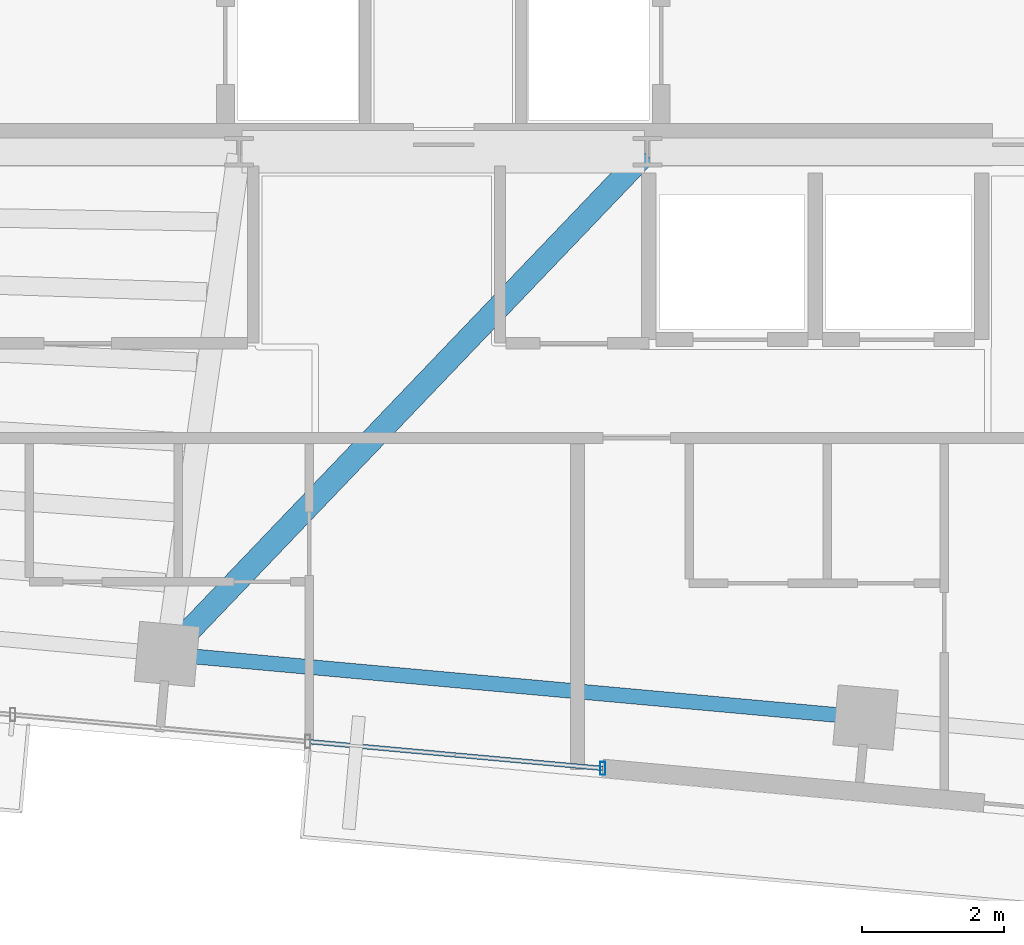
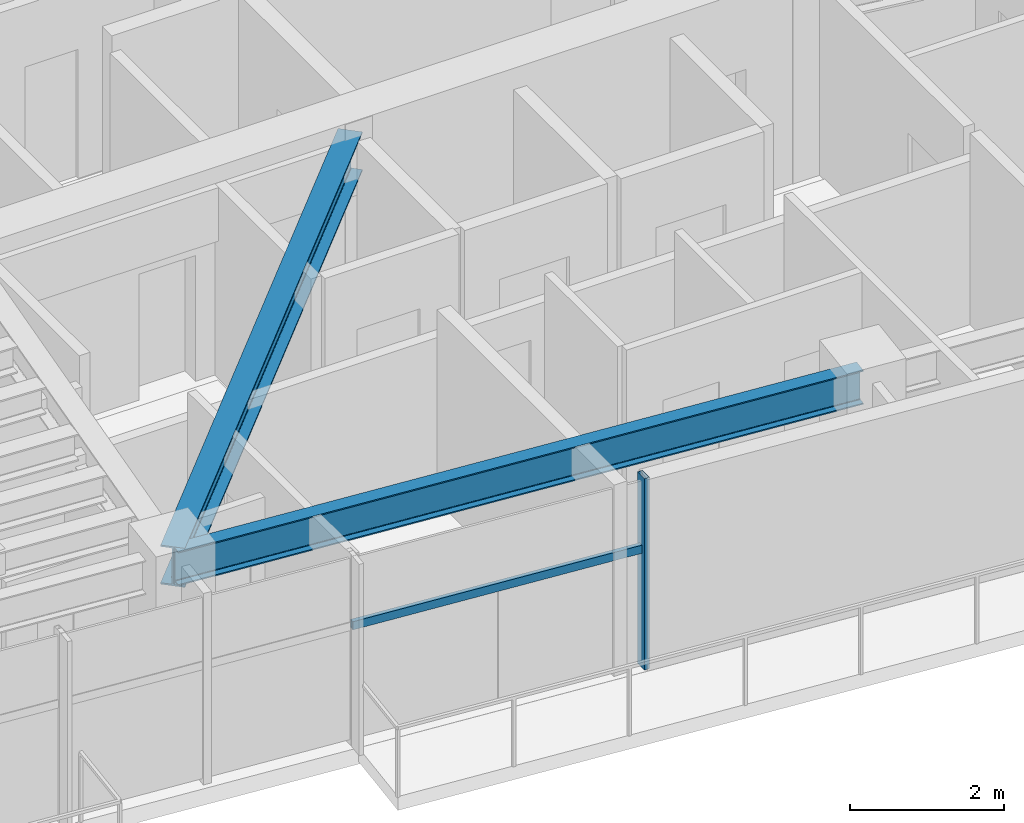
# One storey, part 7 of 22: 2 beams, 2 members, 1 element without a shape of its own.
"""IFC4 building model written with IfcOpenShell, lengths in metres."""

from ifc_helpers import new_model, si_unit, direction, frame, origin, origin_2d, place, context, subcontext, project, spatial, hollow_rectangle, i_section, extrude, source, transform, mapped, material, material_profile, profile_set, type_object, type_shapes, element, aggregate, save


model = new_model("IFC4")

# Units and contexts
model_context = context("Model", 3, precision=1e-05, world=origin(), true_north=direction((0.0, 1.0)))
body_context = subcontext(model_context, "Body", "Model", "MODEL_VIEW")
ifc_project = project(units=[si_unit("LENGTHUNIT", "METRE"), si_unit("AREAUNIT", "SQUARE_METRE"), si_unit("VOLUMEUNIT", "CUBIC_METRE"), si_unit("PLANEANGLEUNIT", "RADIAN"), si_unit("MASSUNIT", "GRAM", prefix="KILO")], contexts=[model_context])

# Site, building, storey
site_placement = place(None, origin())
site = spatial("IfcSite", under=ifc_project, at=site_placement, CompositionType="ELEMENT")
building_placement = place(site_placement, origin())
building = spatial("IfcBuilding", under=site, at=building_placement, Name="Astriad Promenade Condominiums", CompositionType="ELEMENT")
storey_placement = place(building_placement, frame((0.0, 0.0, 223.199951171875)))
storey = spatial("IfcBuildingStorey", under=building, at=storey_placement, Name="L64", CompositionType="ELEMENT", Elevation=223.199951171875)

# Beams
ifc_material_1 = material(Name="Steel ASTM A992 Grade 50", Category="steel")
ifc_material_profile_1 = material_profile(ifc_material_1, i_section(OverallWidth=0.210693359375, OverallDepth=0.53955078125, WebThickness=0.01171875, FlangeThickness=0.018798828125, FilletRadius=0.0166015625, at=origin_2d()), Name="W21X73")
ifc_profile_set_1 = profile_set([ifc_material_profile_1], Name="Steel ASTM A992 Grade 50")
beam_type_1 = type_object("IfcBeamType", Name="STEEL SPANDREL BEAM W21X73", PredefinedType="SPANDREL", material=ifc_profile_set_1)
shared_shape_1 = source(origin(), body_context, "Body", "SweptSolid", [
    extrude(i_section(OverallWidth=0.210693359375, OverallDepth=0.53955078125, WebThickness=0.01171875, FlangeThickness=0.018798828125, FilletRadius=0.0166015625, at=origin_2d()), origin(), (0.0, 0.0, 1.0), 9.820068359375),
])
type_shapes(beam_type_1, [shared_shape_1])
beam_1_placement = place(storey_placement, frame((32.14013671875, 10.30810546875, 2.770263671875), z_axis=(0.995885663174, -0.090618683965, 0.0), x_axis=(0.090618683965, 0.995885663174, 0.0)))
element("IfcBeam", 1, at=beam_1_placement, inside=storey, type_object=beam_type_1, Name="Perimeter Spandrel Beam SP-S3-L64", PredefinedType="SPANDREL", context=body_context, shape_type="MappedRepresentation", body=[
    mapped(shared_shape_1, transform((0.0, 0.0, 0.0), scale=1.0)),
])
ifc_material_profile_2 = material_profile(ifc_material_1, i_section(OverallWidth=0.326416015625, OverallDepth=0.621826171875, WebThickness=0.015380859375, FlangeThickness=0.0244140625, FilletRadius=0.017822265625, at=origin_2d()), Name="W24X131")
ifc_profile_set_2 = profile_set([ifc_material_profile_2], Name="Steel ASTM A992 Grade 50")
beam_type_2 = type_object("IfcBeamType", Name="STEEL FLOOR GIRDER W24X131", PredefinedType="BEAM", material=ifc_profile_set_2)
shared_shape_2 = source(origin(), body_context, "Body", "SweptSolid", [
    extrude(i_section(OverallWidth=0.326416015625, OverallDepth=0.621826171875, WebThickness=0.015380859375, FlangeThickness=0.0244140625, FilletRadius=0.017822265625, at=origin_2d()), origin(), (0.0, 0.0, 1.0), 9.728515625),
])
type_shapes(beam_type_2, [shared_shape_2])
beam_2_placement = place(storey_placement, frame((32.1279296875, 10.3408203125, 2.729248046875), z_axis=(0.691209540622, 0.722654392468, 0.0), x_axis=(-0.722654392468, 0.691209540622, 0.0)))
element("IfcBeam", 2, at=beam_2_placement, inside=storey, type_object=beam_type_2, Name="Primary Floor Girder PG-C2-L64", PredefinedType="BEAM", context=body_context, shape_type="MappedRepresentation", body=[
    mapped(shared_shape_2, transform((0.0, 0.0, 0.0), scale=1.0)),
])

# Curtain wall, members
ifc_material_2 = material(Name="Anodised aluminium Black Dark Glass Unitised", Category="aluminium")
curtain_wall_type = type_object("IfcCurtainWallType", Name="CW-B5-DARK", PredefinedType="USERDEFINED", material=ifc_material_2)
curtain_wall_placement = place(storey_placement, origin())
curtain_wall = element("IfcCurtainWall", 3, at=curtain_wall_placement, inside=storey, type_object=curtain_wall_type, Name="CW-L64-S", ObjectType="UNITISED_CURTAIN_WALL", PredefinedType="USERDEFINED")
ifc_material_3 = material(Name="Anodised aluminium 6063-T6 Black", Category="aluminium")
ifc_material_profile_3 = material_profile(ifc_material_3, hollow_rectangle(XDim=0.06494140625, YDim=0.1298828125, WallThickness=0.00390625, at=origin_2d()), Name="ALU-TRN-65X130")
ifc_profile_set_3 = profile_set([ifc_material_profile_3], Name="Anodised aluminium 6063-T6 Black")
member_type_1 = type_object("IfcMemberType", Name="TRN-ALU-TRN-65X130", PredefinedType="USERDEFINED", material=ifc_profile_set_3)
shared_shape_3 = source(origin(), body_context, "Body", "SweptSolid", [
    extrude(hollow_rectangle(XDim=0.06494140625, YDim=0.1298828125, WallThickness=0.00390625, at=origin_2d()), origin(), (0.0, 0.0, 1.0), 4.179931640625),
])
type_shapes(member_type_1, [shared_shape_3])
member_1_placement = place(storey_placement, frame((38.24951171875, 8.69775390625, 1.884765625), z_axis=(-0.995883146811, 0.090646334165, 0.0), x_axis=(-0.090646334165, -0.995883146811, 0.0)))
member_1 = element("IfcMember", 4, at=member_1_placement, type_object=member_type_1, Name="CW-L64-S-TRN-00-0", ObjectType="TRANSOM", PredefinedType="USERDEFINED", context=body_context, shape_type="MappedRepresentation", body=[
    mapped(shared_shape_3, transform((0.0, 0.0, 0.0), scale=1.0)),
])
ifc_material_profile_4 = material_profile(ifc_material_3, hollow_rectangle(XDim=0.074951171875, YDim=0.18505859375, WallThickness=0.00439453125, at=origin_2d()), Name="ALU-MUL-75X185")
ifc_profile_set_4 = profile_set([ifc_material_profile_4], Name="Anodised aluminium 6063-T6 Black")
member_type_2 = type_object("IfcMemberType", Name="MUL-ALU-MUL-75X185", PredefinedType="MULLION", material=ifc_profile_set_4)
shared_shape_4 = source(origin(), body_context, "Body", "SweptSolid", [
    extrude(hollow_rectangle(XDim=0.074951171875, YDim=0.18505859375, WallThickness=0.00439453125, at=origin_2d()), origin(), (0.0, 0.0, 1.0), 3.0400390625),
])
type_shapes(member_type_2, [shared_shape_4])
member_2_placement = place(storey_placement, frame((38.24951171875, 8.69775390625, 0.0), z_axis=(0.0, 0.0, 1.0), x_axis=(1.0, 0.0, 0.0)))
member_2 = element("IfcMember", 5, at=member_2_placement, type_object=member_type_2, Name="CW-L64-S-MUL-00", PredefinedType="MULLION", context=body_context, shape_type="MappedRepresentation", body=[
    mapped(shared_shape_4, transform((0.0, 0.0, 0.0), scale=1.0)),
])
aggregate(curtain_wall, [member_2, member_1])

save(model, "model.ifc")
